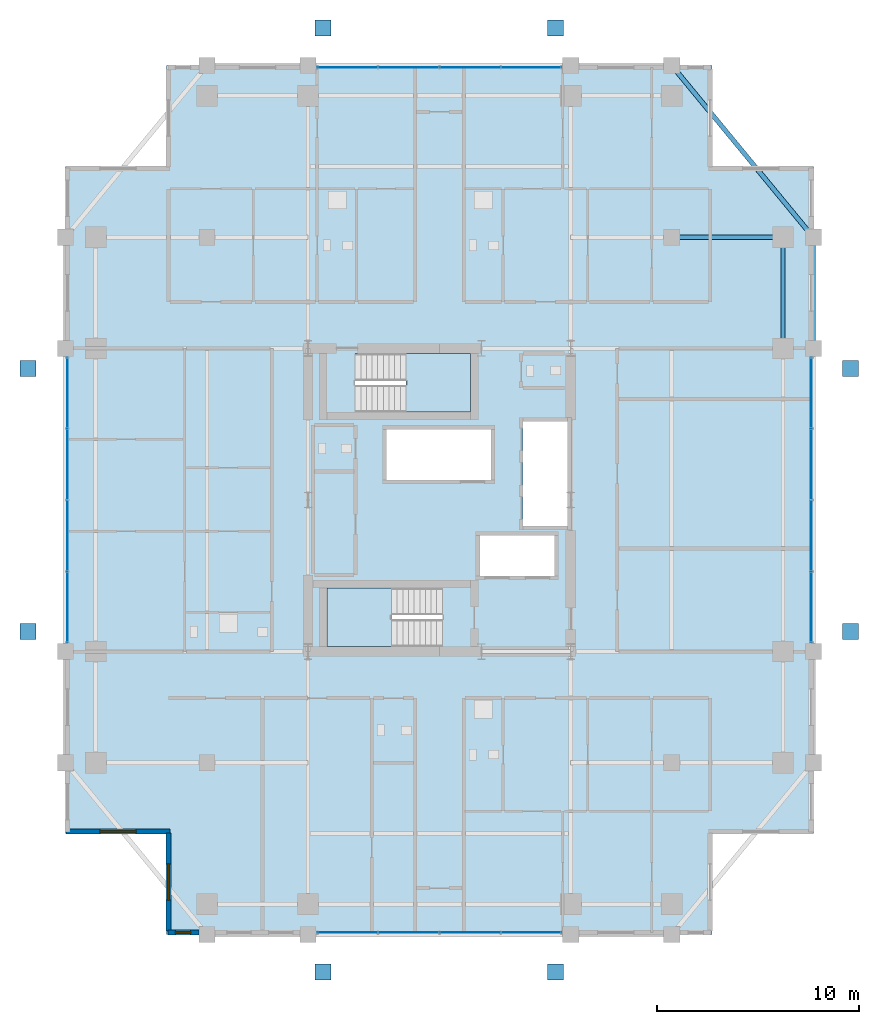
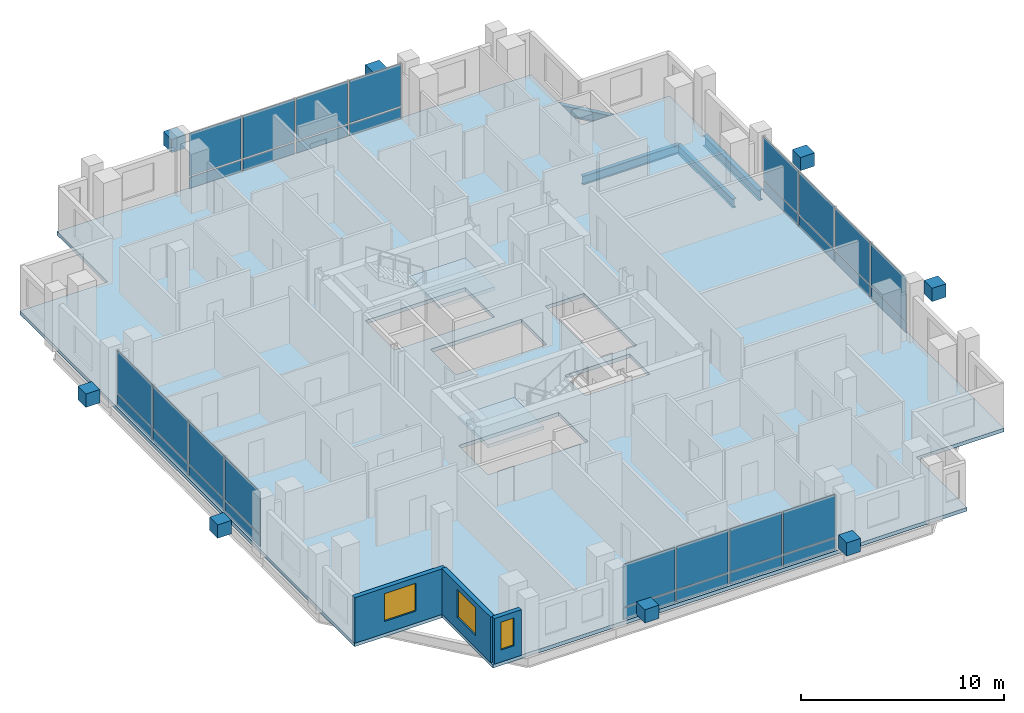
# One storey, part 17 of 24: 40 plates, 4 beams, 3 slabs, 3 walls, 3 windows, 3 openings, 6 elements without a shape of their own.
"""IFC4 building model written with IfcOpenShell, lengths in metres."""

from ifc_helpers import new_model, si_unit, direction, frame, frame_2d, origin, origin_2d, place, context, subcontext, project, spatial, polyline, rectangle, i_section, outline, extrude, material, layer, layer_set, material_profile, profile_set, type_object, element, fill, aggregate, save


model = new_model("IFC4")

# Units and contexts
model_context = context("Model", 3, precision=1e-05, world=origin(), true_north=direction((0.0, 1.0)))
body_context = subcontext(model_context, "Body", "Model", "MODEL_VIEW")
ifc_project = project(units=[si_unit("LENGTHUNIT", "METRE"), si_unit("AREAUNIT", "SQUARE_METRE"), si_unit("VOLUMEUNIT", "CUBIC_METRE"), si_unit("PLANEANGLEUNIT", "RADIAN"), si_unit("MASSUNIT", "GRAM", prefix="KILO")], contexts=[model_context])

# Site, building, storey
site_placement = place(None, origin())
site = spatial("IfcSite", under=ifc_project, at=site_placement, CompositionType="ELEMENT")
building_placement = place(site_placement, origin())
building = spatial("IfcBuilding", under=site, at=building_placement, Name="Barlavira Tower and Art Museum", CompositionType="ELEMENT")
storey_placement = place(building_placement, frame((0.0, 0.0, 190.800048828125)))
storey = spatial("IfcBuildingStorey", under=building, at=storey_placement, Name="L49", CompositionType="ELEMENT", Elevation=190.800048828125)

# Beams
ifc_material_1 = material(Name="Steel S355", Category="steel")
ifc_material_profile_1 = material_profile(ifc_material_1, i_section(OverallWidth=0.22998046875, OverallDepth=0.616943359375, WebThickness=0.01318359375, FlangeThickness=0.022216796875, at=origin_2d()), Name="W610x140.0")
ifc_profile_set_1 = profile_set([ifc_material_profile_1], Name="Steel S355")
beam_type_1 = type_object("IfcBeamType", Name="Upper Shaft Spandrel Edge Beam W610x140 Steel S355", PredefinedType="SPANDREL", material=ifc_profile_set_1)
beam_1_placement = place(storey_placement, frame((18.5, 7.5, -0.528564453125), z_axis=(0.0, 1.0, 0.0), x_axis=(-1.0, 0.0, 0.0)))
element("IfcBeam", 1, at=beam_1_placement, inside=storey, type_object=beam_type_1, Name="L49 Spandrel 7", PredefinedType="SPANDREL", context=body_context, shape_type="SweptSolid", body=[
    extrude(i_section(OverallWidth=0.22998046875, OverallDepth=0.616943359375, WebThickness=0.01318359375, FlangeThickness=0.022216796875, at=origin_2d()), origin(), (0.0, 0.0, 1.0), 5.5),
])
beam_2_placement = place(storey_placement, frame((18.5, 13.0, -0.528564453125), z_axis=(-0.635707252861, 0.771930235617, 0.0), x_axis=(-0.771930235617, -0.635707252861, 0.0)))
element("IfcBeam", 2, at=beam_2_placement, inside=storey, type_object=beam_type_1, Name="L49 Spandrel 8", PredefinedType="SPANDREL", context=body_context, shape_type="SweptSolid", body=[
    extrude(i_section(OverallWidth=0.22998046875, OverallDepth=0.616943359375, WebThickness=0.01318359375, FlangeThickness=0.022216796875, at=origin_2d()), origin(), (0.0, 0.0, 1.0), 11.011474609375),
])
ifc_material_profile_2 = material_profile(ifc_material_1, i_section(OverallWidth=0.2109375, OverallDepth=0.5390625, WebThickness=0.01171875, FlangeThickness=0.018798828125, at=origin_2d()), Name="W530x109.0")
ifc_profile_set_2 = profile_set([ifc_material_profile_2], Name="Steel S355")
beam_type_2 = type_object("IfcBeamType", Name="Zone 3-4 Primary Floor Girder W530x109 Steel S355", PredefinedType="BEAM", material=ifc_profile_set_2)
for number, where, z_axis, x_axis, name in (
    (3, (17.0, 7.5, -0.489501953125), (0.0, 1.0, 0.0), (-1.0, 0.0, 0.0), "L49 Girder M-E3"),
    (4, (11.5, 13.0, -0.489501953125), (1.0, 0.0, 0.0), (0.0, 1.0, 0.0), "L49 Girder I-N4"),
):
    element("IfcBeam", number, at=place(storey_placement, frame(where, z_axis=z_axis, x_axis=x_axis)), inside=storey, type_object=beam_type_2, Name=name, PredefinedType="BEAM", context=body_context, shape_type="SweptSolid", body=[
        extrude(i_section(OverallWidth=0.2109375, OverallDepth=0.5390625, WebThickness=0.01171875, FlangeThickness=0.018798828125, at=origin_2d()), origin(), (0.0, 0.0, 1.0), 5.5),
    ])

# Curtain wall, plates
ifc_material_2 = material(Name="Low-iron coastal laminated glass", Category="glass")
ifc_layer_1 = layer(ifc_material_2, 0.199951171875, Name="Low-iron coastal laminated glass")
ifc_layer_set_1 = layer_set([ifc_layer_1], Name="Low-iron coastal laminated glass")
curtain_wall_type = type_object("IfcCurtainWallType", Name="Pale-Metal Unitised Curtain Wall Zone 3", PredefinedType="NOTDEFINED", material=ifc_layer_set_1)
curtain_wall_1_placement = place(storey_placement, origin())
curtain_wall_1 = element("IfcCurtainWall", 5, at=curtain_wall_1_placement, inside=storey, type_object=curtain_wall_type, Name="L49 Curtain Wall CW3-L49-S-B3", PredefinedType="NOTDEFINED")
ifc_material_3 = material(Name="Pale anodised aluminium", Category="aluminium")
ifc_layer_2 = layer(ifc_material_3, 0.044921875, Name="Pale anodised aluminium")
ifc_layer_set_2 = layer_set([ifc_layer_2], Name="Pale anodised aluminium")
plate_type_1 = type_object("IfcPlateType", Name="Curtain Wall Pale-Metal Spandrel Panel 45", PredefinedType="CURTAIN_PANEL", material=ifc_layer_set_2)
plate_1_placement = place(storey_placement, frame((-4.56005859375, -21.39990234375, 0.0400390625), z_axis=(0.0, 0.0, 1.0), x_axis=(1.0, 0.0, 0.0)))
plate_1 = element("IfcPlate", 6, at=plate_1_placement, type_object=plate_type_1, Name="CW3-L49-S-B3 Spandrel Panel 0", PredefinedType="CURTAIN_PANEL", context=body_context, shape_type="SweptSolid", body=[
    extrude(rectangle(XDim=2.93994140625, YDim=0.044921875, at=origin_2d()), origin(), (0.0, 0.0, 1.0), 0.6640625),
])
plate_2_placement = place(storey_placement, frame((-1.52001953125, -21.39990234375, 0.0400390625), z_axis=(0.0, 0.0, 1.0), x_axis=(1.0, 0.0, 0.0)))
plate_2 = element("IfcPlate", 7, at=plate_2_placement, type_object=plate_type_1, Name="CW3-L49-S-B3 Spandrel Panel 1", PredefinedType="CURTAIN_PANEL", context=body_context, shape_type="SweptSolid", body=[
    extrude(rectangle(XDim=2.93994140625, YDim=0.044921875, at=origin_2d()), origin(), (0.0, 0.0, 1.0), 0.6640625),
])
plate_3_placement = place(storey_placement, frame((1.52001953125, -21.39990234375, 0.0400390625), z_axis=(0.0, 0.0, 1.0), x_axis=(1.0, 0.0, 0.0)))
plate_3 = element("IfcPlate", 8, at=plate_3_placement, type_object=plate_type_1, Name="CW3-L49-S-B3 Spandrel Panel 2", PredefinedType="CURTAIN_PANEL", context=body_context, shape_type="SweptSolid", body=[
    extrude(rectangle(XDim=2.93994140625, YDim=0.044921875, at=origin_2d()), origin(), (0.0, 0.0, 1.0), 0.6640625),
])
plate_4_placement = place(storey_placement, frame((4.56005859375, -21.39990234375, 0.0400390625), z_axis=(0.0, 0.0, 1.0), x_axis=(1.0, 0.0, 0.0)))
plate_4 = element("IfcPlate", 9, at=plate_4_placement, type_object=plate_type_1, Name="CW3-L49-S-B3 Spandrel Panel 3", PredefinedType="CURTAIN_PANEL", context=body_context, shape_type="SweptSolid", body=[
    extrude(rectangle(XDim=2.93994140625, YDim=0.044921875, at=origin_2d()), origin(), (0.0, 0.0, 1.0), 0.6640625),
])

curtain_wall_2_placement = place(storey_placement, origin())
curtain_wall_2 = element("IfcCurtainWall", 10, at=curtain_wall_2_placement, inside=storey, type_object=curtain_wall_type, Name="L49 Curtain Wall CW3-L49-N-B3", PredefinedType="NOTDEFINED")
plate_5_placement = place(storey_placement, frame((4.56005859375, 21.39990234375, 0.0400390625), z_axis=(0.0, 0.0, 1.0), x_axis=(-1.0, 0.0, 0.0)))
plate_5 = element("IfcPlate", 11, at=plate_5_placement, type_object=plate_type_1, Name="CW3-L49-N-B3 Spandrel Panel 0", PredefinedType="CURTAIN_PANEL", context=body_context, shape_type="SweptSolid", body=[
    extrude(rectangle(XDim=2.93994140625, YDim=0.044921875, at=origin_2d()), origin(), (0.0, 0.0, 1.0), 0.6640625),
])
plate_6_placement = place(storey_placement, frame((1.52001953125, 21.39990234375, 0.0400390625), z_axis=(0.0, 0.0, 1.0), x_axis=(-1.0, 0.0, 0.0)))
plate_6 = element("IfcPlate", 12, at=plate_6_placement, type_object=plate_type_1, Name="CW3-L49-N-B3 Spandrel Panel 1", PredefinedType="CURTAIN_PANEL", context=body_context, shape_type="SweptSolid", body=[
    extrude(rectangle(XDim=2.93994140625, YDim=0.044921875, at=origin_2d()), origin(), (0.0, 0.0, 1.0), 0.6640625),
])
plate_7_placement = place(storey_placement, frame((-1.52001953125, 21.39990234375, 0.0400390625), z_axis=(0.0, 0.0, 1.0), x_axis=(-1.0, 0.0, 0.0)))
plate_7 = element("IfcPlate", 13, at=plate_7_placement, type_object=plate_type_1, Name="CW3-L49-N-B3 Spandrel Panel 2", PredefinedType="CURTAIN_PANEL", context=body_context, shape_type="SweptSolid", body=[
    extrude(rectangle(XDim=2.93994140625, YDim=0.044921875, at=origin_2d()), origin(), (0.0, 0.0, 1.0), 0.6640625),
])
plate_8_placement = place(storey_placement, frame((-4.56005859375, 21.39990234375, 0.0400390625), z_axis=(0.0, 0.0, 1.0), x_axis=(-1.0, 0.0, 0.0)))
plate_8 = element("IfcPlate", 14, at=plate_8_placement, type_object=plate_type_1, Name="CW3-L49-N-B3 Spandrel Panel 3", PredefinedType="CURTAIN_PANEL", context=body_context, shape_type="SweptSolid", body=[
    extrude(rectangle(XDim=2.93994140625, YDim=0.044921875, at=origin_2d()), origin(), (0.0, 0.0, 1.0), 0.6640625),
])

curtain_wall_3_placement = place(storey_placement, origin())
curtain_wall_3 = element("IfcCurtainWall", 15, at=curtain_wall_3_placement, inside=storey, type_object=curtain_wall_type, Name="L49 Curtain Wall CW3-L49-W-B3", PredefinedType="NOTDEFINED")
plate_9_placement = place(storey_placement, frame((-18.39990234375, 5.31005859375, 0.0400390625), z_axis=(0.0, 0.0, 1.0), x_axis=(0.0, -1.0, 0.0)))
plate_9 = element("IfcPlate", 16, at=plate_9_placement, type_object=plate_type_1, Name="CW3-L49-W-B3 Spandrel Panel 0", PredefinedType="CURTAIN_PANEL", context=body_context, shape_type="SweptSolid", body=[
    extrude(rectangle(XDim=3.43994140625, YDim=0.044921875, at=origin_2d()), origin(), (0.0, 0.0, 1.0), 0.6640625),
])
plate_10_placement = place(storey_placement, frame((-18.39990234375, 1.77001953125, 0.0400390625), z_axis=(0.0, 0.0, 1.0), x_axis=(0.0, -1.0, 0.0)))
plate_10 = element("IfcPlate", 17, at=plate_10_placement, type_object=plate_type_1, Name="CW3-L49-W-B3 Spandrel Panel 1", PredefinedType="CURTAIN_PANEL", context=body_context, shape_type="SweptSolid", body=[
    extrude(rectangle(XDim=3.43994140625, YDim=0.044921875, at=origin_2d()), origin(), (0.0, 0.0, 1.0), 0.6640625),
])
plate_11_placement = place(storey_placement, frame((-18.39990234375, -1.77001953125, 0.0400390625), z_axis=(0.0, 0.0, 1.0), x_axis=(0.0, -1.0, 0.0)))
plate_11 = element("IfcPlate", 18, at=plate_11_placement, type_object=plate_type_1, Name="CW3-L49-W-B3 Spandrel Panel 2", PredefinedType="CURTAIN_PANEL", context=body_context, shape_type="SweptSolid", body=[
    extrude(rectangle(XDim=3.43994140625, YDim=0.044921875, at=origin_2d()), origin(), (0.0, 0.0, 1.0), 0.6640625),
])
plate_12_placement = place(storey_placement, frame((-18.39990234375, -5.31005859375, 0.0400390625), z_axis=(0.0, 0.0, 1.0), x_axis=(0.0, -1.0, 0.0)))
plate_12 = element("IfcPlate", 19, at=plate_12_placement, type_object=plate_type_1, Name="CW3-L49-W-B3 Spandrel Panel 3", PredefinedType="CURTAIN_PANEL", context=body_context, shape_type="SweptSolid", body=[
    extrude(rectangle(XDim=3.43994140625, YDim=0.044921875, at=origin_2d()), origin(), (0.0, 0.0, 1.0), 0.6640625),
])

curtain_wall_4_placement = place(storey_placement, origin())
curtain_wall_4 = element("IfcCurtainWall", 20, at=curtain_wall_4_placement, inside=storey, type_object=curtain_wall_type, Name="L49 Curtain Wall CW3-L49-E-B3", PredefinedType="NOTDEFINED")
plate_13_placement = place(storey_placement, frame((18.39990234375, -5.31005859375, 0.0400390625), z_axis=(0.0, 0.0, 1.0), x_axis=(0.0, 1.0, 0.0)))
plate_13 = element("IfcPlate", 21, at=plate_13_placement, type_object=plate_type_1, Name="CW3-L49-E-B3 Spandrel Panel 0", PredefinedType="CURTAIN_PANEL", context=body_context, shape_type="SweptSolid", body=[
    extrude(rectangle(XDim=3.43994140625, YDim=0.044921875, at=origin_2d()), origin(), (0.0, 0.0, 1.0), 0.6640625),
])
plate_14_placement = place(storey_placement, frame((18.39990234375, -1.77001953125, 0.0400390625), z_axis=(0.0, 0.0, 1.0), x_axis=(0.0, 1.0, 0.0)))
plate_14 = element("IfcPlate", 22, at=plate_14_placement, type_object=plate_type_1, Name="CW3-L49-E-B3 Spandrel Panel 1", PredefinedType="CURTAIN_PANEL", context=body_context, shape_type="SweptSolid", body=[
    extrude(rectangle(XDim=3.43994140625, YDim=0.044921875, at=origin_2d()), origin(), (0.0, 0.0, 1.0), 0.6640625),
])
plate_15_placement = place(storey_placement, frame((18.39990234375, 1.77001953125, 0.0400390625), z_axis=(0.0, 0.0, 1.0), x_axis=(0.0, 1.0, 0.0)))
plate_15 = element("IfcPlate", 23, at=plate_15_placement, type_object=plate_type_1, Name="CW3-L49-E-B3 Spandrel Panel 2", PredefinedType="CURTAIN_PANEL", context=body_context, shape_type="SweptSolid", body=[
    extrude(rectangle(XDim=3.43994140625, YDim=0.044921875, at=origin_2d()), origin(), (0.0, 0.0, 1.0), 0.6640625),
])
plate_16_placement = place(storey_placement, frame((18.39990234375, 5.31005859375, 0.0400390625), z_axis=(0.0, 0.0, 1.0), x_axis=(0.0, 1.0, 0.0)))
plate_16 = element("IfcPlate", 24, at=plate_16_placement, type_object=plate_type_1, Name="CW3-L49-E-B3 Spandrel Panel 3", PredefinedType="CURTAIN_PANEL", context=body_context, shape_type="SweptSolid", body=[
    extrude(rectangle(XDim=3.43994140625, YDim=0.044921875, at=origin_2d()), origin(), (0.0, 0.0, 1.0), 0.6640625),
])

# Plate
ifc_layer_3 = layer(ifc_material_2, 0.028076171875, Name="Low-iron coastal laminated glass")
ifc_layer_set_3 = layer_set([ifc_layer_3], Name="Low-iron coastal laminated glass")
plate_type_2 = type_object("IfcPlateType", Name="Curtain Wall Vision Glazing Panel 28", PredefinedType="CURTAIN_PANEL", material=ifc_layer_set_3)
plate_17_placement = place(storey_placement, frame((-4.56005859375, -21.39990234375, 0.7841796875), z_axis=(0.0, 0.0, 1.0), x_axis=(1.0, 0.0, 0.0)))
plate_17 = element("IfcPlate", 25, at=plate_17_placement, type_object=plate_type_2, Name="CW3-L49-S-B3 Vision Glass Panel 0", PredefinedType="CURTAIN_PANEL", context=body_context, shape_type="SweptSolid", body=[
    extrude(rectangle(XDim=2.93994140625, YDim=0.028076171875, at=origin_2d()), origin(), (0.0, 0.0, 1.0), 2.555908203125),
])

plate_18_placement = place(storey_placement, frame((-1.52001953125, -21.39990234375, 0.7841796875), z_axis=(0.0, 0.0, 1.0), x_axis=(1.0, 0.0, 0.0)))
plate_18 = element("IfcPlate", 26, at=plate_18_placement, type_object=plate_type_2, Name="CW3-L49-S-B3 Vision Glass Panel 1", PredefinedType="CURTAIN_PANEL", context=body_context, shape_type="SweptSolid", body=[
    extrude(rectangle(XDim=2.93994140625, YDim=0.028076171875, at=origin_2d()), origin(), (0.0, 0.0, 1.0), 2.555908203125),
])

plate_19_placement = place(storey_placement, frame((1.52001953125, -21.39990234375, 0.7841796875), z_axis=(0.0, 0.0, 1.0), x_axis=(1.0, 0.0, 0.0)))
plate_19 = element("IfcPlate", 27, at=plate_19_placement, type_object=plate_type_2, Name="CW3-L49-S-B3 Vision Glass Panel 2", PredefinedType="CURTAIN_PANEL", context=body_context, shape_type="SweptSolid", body=[
    extrude(rectangle(XDim=2.93994140625, YDim=0.028076171875, at=origin_2d()), origin(), (0.0, 0.0, 1.0), 2.555908203125),
])

plate_20_placement = place(storey_placement, frame((4.56005859375, -21.39990234375, 0.7841796875), z_axis=(0.0, 0.0, 1.0), x_axis=(1.0, 0.0, 0.0)))
plate_20 = element("IfcPlate", 28, at=plate_20_placement, type_object=plate_type_2, Name="CW3-L49-S-B3 Vision Glass Panel 3", PredefinedType="CURTAIN_PANEL", context=body_context, shape_type="SweptSolid", body=[
    extrude(rectangle(XDim=2.93994140625, YDim=0.028076171875, at=origin_2d()), origin(), (0.0, 0.0, 1.0), 2.555908203125),
])

aggregate(curtain_wall_1, [plate_1, plate_17, plate_2, plate_18, plate_3, plate_19, plate_4, plate_20])

plate_21_placement = place(storey_placement, frame((4.56005859375, 21.39990234375, 0.7841796875), z_axis=(0.0, 0.0, 1.0), x_axis=(-1.0, 0.0, 0.0)))
plate_21 = element("IfcPlate", 29, at=plate_21_placement, type_object=plate_type_2, Name="CW3-L49-N-B3 Vision Glass Panel 0", PredefinedType="CURTAIN_PANEL", context=body_context, shape_type="SweptSolid", body=[
    extrude(rectangle(XDim=2.93994140625, YDim=0.028076171875, at=origin_2d()), origin(), (0.0, 0.0, 1.0), 2.555908203125),
])

plate_22_placement = place(storey_placement, frame((1.52001953125, 21.39990234375, 0.7841796875), z_axis=(0.0, 0.0, 1.0), x_axis=(-1.0, 0.0, 0.0)))
plate_22 = element("IfcPlate", 30, at=plate_22_placement, type_object=plate_type_2, Name="CW3-L49-N-B3 Vision Glass Panel 1", PredefinedType="CURTAIN_PANEL", context=body_context, shape_type="SweptSolid", body=[
    extrude(rectangle(XDim=2.93994140625, YDim=0.028076171875, at=origin_2d()), origin(), (0.0, 0.0, 1.0), 2.555908203125),
])

plate_23_placement = place(storey_placement, frame((-1.52001953125, 21.39990234375, 0.7841796875), z_axis=(0.0, 0.0, 1.0), x_axis=(-1.0, 0.0, 0.0)))
plate_23 = element("IfcPlate", 31, at=plate_23_placement, type_object=plate_type_2, Name="CW3-L49-N-B3 Vision Glass Panel 2", PredefinedType="CURTAIN_PANEL", context=body_context, shape_type="SweptSolid", body=[
    extrude(rectangle(XDim=2.93994140625, YDim=0.028076171875, at=origin_2d()), origin(), (0.0, 0.0, 1.0), 2.555908203125),
])

plate_24_placement = place(storey_placement, frame((-4.56005859375, 21.39990234375, 0.7841796875), z_axis=(0.0, 0.0, 1.0), x_axis=(-1.0, 0.0, 0.0)))
plate_24 = element("IfcPlate", 32, at=plate_24_placement, type_object=plate_type_2, Name="CW3-L49-N-B3 Vision Glass Panel 3", PredefinedType="CURTAIN_PANEL", context=body_context, shape_type="SweptSolid", body=[
    extrude(rectangle(XDim=2.93994140625, YDim=0.028076171875, at=origin_2d()), origin(), (0.0, 0.0, 1.0), 2.555908203125),
])

aggregate(curtain_wall_2, [plate_5, plate_21, plate_6, plate_22, plate_7, plate_23, plate_8, plate_24])

plate_25_placement = place(storey_placement, frame((-18.39990234375, 5.31005859375, 0.7841796875), z_axis=(0.0, 0.0, 1.0), x_axis=(0.0, -1.0, 0.0)))
plate_25 = element("IfcPlate", 33, at=plate_25_placement, type_object=plate_type_2, Name="CW3-L49-W-B3 Vision Glass Panel 0", PredefinedType="CURTAIN_PANEL", context=body_context, shape_type="SweptSolid", body=[
    extrude(rectangle(XDim=3.43994140625, YDim=0.028076171875, at=origin_2d()), origin(), (0.0, 0.0, 1.0), 2.555908203125),
])

plate_26_placement = place(storey_placement, frame((-18.39990234375, 1.77001953125, 0.7841796875), z_axis=(0.0, 0.0, 1.0), x_axis=(0.0, -1.0, 0.0)))
plate_26 = element("IfcPlate", 34, at=plate_26_placement, type_object=plate_type_2, Name="CW3-L49-W-B3 Vision Glass Panel 1", PredefinedType="CURTAIN_PANEL", context=body_context, shape_type="SweptSolid", body=[
    extrude(rectangle(XDim=3.43994140625, YDim=0.028076171875, at=origin_2d()), origin(), (0.0, 0.0, 1.0), 2.555908203125),
])

plate_27_placement = place(storey_placement, frame((-18.39990234375, -1.77001953125, 0.7841796875), z_axis=(0.0, 0.0, 1.0), x_axis=(0.0, -1.0, 0.0)))
plate_27 = element("IfcPlate", 35, at=plate_27_placement, type_object=plate_type_2, Name="CW3-L49-W-B3 Vision Glass Panel 2", PredefinedType="CURTAIN_PANEL", context=body_context, shape_type="SweptSolid", body=[
    extrude(rectangle(XDim=3.43994140625, YDim=0.028076171875, at=origin_2d()), origin(), (0.0, 0.0, 1.0), 2.555908203125),
])

plate_28_placement = place(storey_placement, frame((-18.39990234375, -5.31005859375, 0.7841796875), z_axis=(0.0, 0.0, 1.0), x_axis=(0.0, -1.0, 0.0)))
plate_28 = element("IfcPlate", 36, at=plate_28_placement, type_object=plate_type_2, Name="CW3-L49-W-B3 Vision Glass Panel 3", PredefinedType="CURTAIN_PANEL", context=body_context, shape_type="SweptSolid", body=[
    extrude(rectangle(XDim=3.43994140625, YDim=0.028076171875, at=origin_2d()), origin(), (0.0, 0.0, 1.0), 2.555908203125),
])

aggregate(curtain_wall_3, [plate_9, plate_25, plate_10, plate_26, plate_11, plate_27, plate_12, plate_28])

plate_29_placement = place(storey_placement, frame((18.39990234375, -5.31005859375, 0.7841796875), z_axis=(0.0, 0.0, 1.0), x_axis=(0.0, 1.0, 0.0)))
plate_29 = element("IfcPlate", 37, at=plate_29_placement, type_object=plate_type_2, Name="CW3-L49-E-B3 Vision Glass Panel 0", PredefinedType="CURTAIN_PANEL", context=body_context, shape_type="SweptSolid", body=[
    extrude(rectangle(XDim=3.43994140625, YDim=0.028076171875, at=origin_2d()), origin(), (0.0, 0.0, 1.0), 2.555908203125),
])

plate_30_placement = place(storey_placement, frame((18.39990234375, -1.77001953125, 0.7841796875), z_axis=(0.0, 0.0, 1.0), x_axis=(0.0, 1.0, 0.0)))
plate_30 = element("IfcPlate", 38, at=plate_30_placement, type_object=plate_type_2, Name="CW3-L49-E-B3 Vision Glass Panel 1", PredefinedType="CURTAIN_PANEL", context=body_context, shape_type="SweptSolid", body=[
    extrude(rectangle(XDim=3.43994140625, YDim=0.028076171875, at=origin_2d()), origin(), (0.0, 0.0, 1.0), 2.555908203125),
])

plate_31_placement = place(storey_placement, frame((18.39990234375, 1.77001953125, 0.7841796875), z_axis=(0.0, 0.0, 1.0), x_axis=(0.0, 1.0, 0.0)))
plate_31 = element("IfcPlate", 39, at=plate_31_placement, type_object=plate_type_2, Name="CW3-L49-E-B3 Vision Glass Panel 2", PredefinedType="CURTAIN_PANEL", context=body_context, shape_type="SweptSolid", body=[
    extrude(rectangle(XDim=3.43994140625, YDim=0.028076171875, at=origin_2d()), origin(), (0.0, 0.0, 1.0), 2.555908203125),
])

plate_32_placement = place(storey_placement, frame((18.39990234375, 5.31005859375, 0.7841796875), z_axis=(0.0, 0.0, 1.0), x_axis=(0.0, 1.0, 0.0)))
plate_32 = element("IfcPlate", 40, at=plate_32_placement, type_object=plate_type_2, Name="CW3-L49-E-B3 Vision Glass Panel 3", PredefinedType="CURTAIN_PANEL", context=body_context, shape_type="SweptSolid", body=[
    extrude(rectangle(XDim=3.43994140625, YDim=0.028076171875, at=origin_2d()), origin(), (0.0, 0.0, 1.0), 2.555908203125),
])

aggregate(curtain_wall_4, [plate_13, plate_29, plate_14, plate_30, plate_15, plate_31, plate_16, plate_32])

# Plates
ifc_layer_4 = layer(ifc_material_1, 0.800048828125, Name="Steel S355")
ifc_layer_set_4 = layer_set([ifc_layer_4], Name="Steel S355")
plate_type_3 = type_object("IfcPlateType", Name="Exoskeleton Solid Steel Node Cap Plate Assembly Type 3 Steel S355", PredefinedType="USERDEFINED", material=ifc_layer_set_4)
for number, where, z_axis, x_axis, name in (
    (41, (-5.75, -23.35009765625, 1.27978515625), (0.0, 0.0, 1.0), (1.0, 0.0, 0.0), "Exoskeleton Diamond Node S1 ND-L49-0520"),
    (42, (5.75, -23.35009765625, 1.27978515625), (0.0, 0.0, 1.0), (1.0, 0.0, 0.0), "Exoskeleton Diamond Node S2 ND-L49-0521"),
    (43, (-5.75, 23.35009765625, 1.27978515625), (0.0, 0.0, 1.0), (1.0, 0.0, 0.0), "Exoskeleton Diamond Node N1 ND-L49-0528"),
    (44, (5.75, 23.35009765625, 1.27978515625), (0.0, 0.0, 1.0), (1.0, 0.0, 0.0), "Exoskeleton Diamond Node N2 ND-L49-0529"),
    (45, (-20.35009765625, -6.5, 1.27978515625), (0.0, 0.0, 1.0), (1.0, 0.0, 0.0), "Exoskeleton Diamond Node W1 ND-L49-0536"),
    (46, (-20.35009765625, 6.5, 1.27978515625), (0.0, 0.0, 1.0), (1.0, 0.0, 0.0), "Exoskeleton Diamond Node W2 ND-L49-0537"),
    (47, (20.35009765625, -6.5, 1.27978515625), (0.0, 0.0, 1.0), (1.0, 0.0, 0.0), "Exoskeleton Diamond Node E1 ND-L49-0544"),
    (48, (20.35009765625, 6.5, 1.27978515625), (0.0, 0.0, 1.0), (1.0, 0.0, 0.0), "Exoskeleton Diamond Node E2 ND-L49-0545"),
):
    element("IfcPlate", number, at=place(storey_placement, frame(where, z_axis=z_axis, x_axis=x_axis)), inside=storey, type_object=plate_type_3, Name=name, ObjectType="FLANGE_PLATE", PredefinedType="USERDEFINED", context=body_context, shape_type="SweptSolid", body=[
        extrude(rectangle(XDim=0.800048828125, YDim=0.800048828125, at=origin_2d()), origin(), (0.0, 0.0, 1.0), 0.800048828125),
    ])

# Stair, slab
ifc_material_4 = material(Name="Concrete C45", Category="concrete")
stair_type_1 = type_object("IfcStairType", Name="Tower North Dog-Leg Exit Stair Assembly Concrete C45", PredefinedType="TWO_QUARTER_TURN_STAIR", material=ifc_material_4)
stair_1_placement = place(storey_placement, origin())
stair_1 = element("IfcStair", 49, at=stair_1_placement, inside=storey, type_object=stair_type_1, Name="L49 Tower North Exit Stair ST-T2", PredefinedType="TWO_QUARTER_TURN_STAIR")
ifc_layer_5 = layer(ifc_material_4, 0.199951171875, Name="Concrete C45")
ifc_layer_set_5 = layer_set([ifc_layer_5], Name="Concrete C45")
slab_type_1 = type_object("IfcSlabType", Name="Tower North Dog-Leg Exit Stair Half-Landing Slab 200 Concrete C45", PredefinedType="LANDING", material=ifc_layer_set_5)
slab_1_placement = place(storey_placement, frame((0.0, 0.0, 1.599853515625)))
slab_1 = element("IfcSlab", 50, at=slab_1_placement, type_object=slab_type_1, Name="ST-T2 landing 1", PredefinedType="LANDING", context=body_context, shape_type="SweptSolid", body=[
    extrude(outline(polyline([(-1.64990234375, 4.35009765625), (1.530029296875, 4.35009765625), (1.530029296875, 7.25), (-1.64990234375, 7.25), (-1.64990234375, 4.35009765625)])), origin(), (0.0, 0.0, 1.0), 0.2001953125),
])
aggregate(stair_1, [slab_1])

stair_type_2 = type_object("IfcStairType", Name="Tower South Dog-Leg Exit Stair Assembly Concrete C45", PredefinedType="TWO_QUARTER_TURN_STAIR", material=ifc_material_4)
stair_2_placement = place(storey_placement, origin())
stair_2 = element("IfcStair", 51, at=stair_2_placement, inside=storey, type_object=stair_type_2, Name="L49 Tower South Exit Stair ST-T1", PredefinedType="TWO_QUARTER_TURN_STAIR")
ifc_layer_6 = layer(ifc_material_4, 0.199951171875, Name="Concrete C45")
ifc_layer_set_6 = layer_set([ifc_layer_6], Name="Concrete C45")
slab_type_2 = type_object("IfcSlabType", Name="Tower South Dog-Leg Exit Stair Half-Landing Slab 200 Concrete C45", PredefinedType="LANDING", material=ifc_layer_set_6)
slab_2_placement = place(storey_placement, frame((0.0, 0.0, 1.599853515625)))
slab_2 = element("IfcSlab", 52, at=slab_2_placement, type_object=slab_type_2, Name="ST-T1 landing 1", PredefinedType="LANDING", context=body_context, shape_type="SweptSolid", body=[
    extrude(outline(polyline([(-2.3701171875, -4.35009765625), (-5.550048828125, -4.35009765625), (-5.550048828125, -7.25), (-2.3701171875, -7.25), (-2.3701171875, -4.35009765625)])), origin(), (0.0, 0.0, 1.0), 0.2001953125),
])
aggregate(stair_2, [slab_2])

# Slab
ifc_material_5 = material(Name="Concrete C50", Category="concrete")
ifc_layer_7 = layer(ifc_material_5, 0.199951171875, Name="Concrete C50")
ifc_layer_set_7 = layer_set([ifc_layer_7], Name="Concrete C50")
slab_type_3 = type_object("IfcSlabType", Name="Zone 3 Residential Composite Slab 200 Concrete C50", PredefinedType="FLOOR", material=ifc_layer_set_7)
slab_3_placement = place(storey_placement, frame((0.0, 0.0, -0.219970703125)))
element("IfcSlab", 53, at=slab_3_placement, inside=storey, type_object=slab_type_3, Name="L49 Tower Floor Slab", PredefinedType="FLOOR", context=body_context, shape_type="SweptSolid", body=[
    extrude(outline(polyline([(-13.5, -21.5), (13.5, -21.5), (13.5, -16.5), (18.5, -16.5), (18.5, 16.5), (13.5, 16.5), (13.5, 21.5), (-13.5, 21.5), (-13.5, 16.5), (-18.5, 16.5), (-18.5, -16.5), (-13.5, -16.5), (-13.5, -21.5)]), holes=[polyline([(0.14990234375, -4.35009765625), (-5.550048828125, -4.35009765625), (-5.550048828125, -7.25), (0.14990234375, -7.25), (0.14990234375, -4.35009765625)]), polyline([(-4.169921875, 4.35009765625), (1.530029296875, 4.35009765625), (1.530029296875, 7.25), (-4.169921875, 7.25), (-4.169921875, 4.35009765625)]), polyline([(4.14990234375, -1.2900390625), (6.35009765625, -1.2900390625), (6.35009765625, 3.889892578125), (4.14990234375, 3.889892578125), (4.14990234375, -1.2900390625)]), polyline([(-2.6201171875, 1.0), (2.56005859375, 1.0), (2.56005859375, 3.5), (-2.6201171875, 3.5), (-2.6201171875, 1.0)]), polyline([(2.0, -3.75), (5.699951171875, -3.75), (5.699951171875, -1.75), (2.0, -1.75), (2.0, -3.75)])]), origin(), (0.0, 0.0, 1.0), 0.219970703125),
])

# Wall, opening, window
ifc_material_6 = material(Name="Precast concrete C40", Category="concrete")
ifc_layer_8 = layer(ifc_material_6, 0.25, Name="Precast concrete C40")
ifc_layer_set_8 = layer_set([ifc_layer_8], Name="Precast concrete C40")
wall_type = type_object("IfcWallType", Name="Notched Corner Spandrel Wall 250 Precast Concrete C40", PredefinedType="SOLIDWALL", material=ifc_layer_set_8)
wall_1_placement = place(storey_placement, frame((-13.425048828125, -21.39990234375, 0.0), z_axis=(0.0, 0.0, 1.0), x_axis=(1.0, 0.0, 0.0)))
wall_1 = element("IfcWall", 54, at=wall_1_placement, inside=storey, type_object=wall_type, Name="L49 Coastal Facade Pier Wall CW3-L49-S-1", PredefinedType="SOLIDWALL", context=body_context, shape_type="SweptSolid", body=[
    extrude(rectangle(XDim=1.530029296875, YDim=0.25, at=frame_2d((0.76513671875, 0.0))), origin(), (0.0, 0.0, 1.0), 2.748046875),
])
opening_1_placement = place(wall_1_placement, frame((0.363037109375, 0.0, 0.719970703125)))
opening_1 = element("IfcOpeningElement", 55, at=opening_1_placement, cuts=wall_1, Name="Opening WN-06", PredefinedType="OPENING", context=body_context, shape_type="SweptSolid", body=[
    extrude(rectangle(XDim=0.760009765625, YDim=1.679931640625, at=frame_2d((0.3798828125, 0.83984375))), frame((0.0, 0.135009765625, 0.0), z_axis=(0.0, -1.0, 0.0), x_axis=(1.0, 0.0, 0.0)), (0.0, 0.0, 1.0), 0.27001953125),
])
window_type_1 = type_object("IfcWindowType", Name="Recessed Narrow Pier Window 760x1680", PartitioningType="SINGLE_PANEL", PredefinedType="WINDOW", material=ifc_material_2)
window_1_placement = place(opening_1_placement, origin())
window_1 = element("IfcWindow", 56, at=window_1_placement, inside=storey, type_object=window_type_1, Name="L49 Punched Facade Window EWP-CW3-L49-S-1-1", OverallHeight=1.679931640625, OverallWidth=0.760009765625, PartitioningType="SINGLE_PANEL", PredefinedType="WINDOW", context=body_context, shape_type="SweptSolid", body=[
    extrude(rectangle(XDim=0.760009765625, YDim=1.679931640625, at=frame_2d((0.3798828125, 0.83984375))), frame((0.0, 0.030029296875, 0.0), z_axis=(0.0, -1.0, 0.0), x_axis=(1.0, 0.0, 0.0)), (0.0, 0.0, 1.0), 0.06005859375),
])
fill(opening_1, window_1)

wall_2_placement = place(storey_placement, frame((-18.47998046875, -16.39990234375, 0.0), z_axis=(0.0, 0.0, 1.0), x_axis=(1.0, 0.0, 0.0)))
wall_2 = element("IfcWall", 57, at=wall_2_placement, inside=storey, type_object=wall_type, Name="L49 Notch Corner Wall SW1", PredefinedType="SOLIDWALL", context=body_context, shape_type="SweptSolid", body=[
    extrude(rectangle(XDim=5.159912109375, YDim=0.25, at=frame_2d((2.580078125, 0.0))), origin(), (0.0, 0.0, 1.0), 2.748046875),
])
opening_2_placement = place(wall_2_placement, frame((1.679931640625, 0.0, 0.719970703125)))
opening_2 = element("IfcOpeningElement", 58, at=opening_2_placement, cuts=wall_2, Name="Opening WN-01", PredefinedType="OPENING", context=body_context, shape_type="SweptSolid", body=[
    extrude(rectangle(XDim=1.800048828125, YDim=1.679931640625, at=frame_2d((0.89990234375, 0.83984375))), frame((0.0, 0.135009765625, 0.0), z_axis=(0.0, -1.0, 0.0), x_axis=(1.0, 0.0, 0.0)), (0.0, 0.0, 1.0), 0.27001953125),
])
window_type_2 = type_object("IfcWindowType", Name="Recessed Notch Corner Punch Window 1800x1680", PartitioningType="SINGLE_PANEL", PredefinedType="WINDOW", material=ifc_material_2)
window_2_placement = place(opening_2_placement, origin())
window_2 = element("IfcWindow", 59, at=window_2_placement, inside=storey, type_object=window_type_2, Name="L49 Punched Facade Window EW-NTC-L49-SW1-1", OverallHeight=1.679931640625, OverallWidth=1.800048828125, PartitioningType="SINGLE_PANEL", PredefinedType="WINDOW", context=body_context, shape_type="SweptSolid", body=[
    extrude(rectangle(XDim=1.800048828125, YDim=1.679931640625, at=frame_2d((0.89990234375, 0.83984375))), frame((0.0, 0.030029296875, 0.0), z_axis=(0.0, -1.0, 0.0), x_axis=(1.0, 0.0, 0.0)), (0.0, 0.0, 1.0), 0.06005859375),
])
fill(opening_2, window_2)

wall_3_placement = place(storey_placement, frame((-13.39990234375, -16.47998046875, 0.0), z_axis=(0.0, 0.0, 1.0), x_axis=(0.0, -1.0, 0.0)))
wall_3 = element("IfcWall", 60, at=wall_3_placement, inside=storey, type_object=wall_type, Name="L49 Notch Corner Wall SW2", PredefinedType="SOLIDWALL", context=body_context, shape_type="SweptSolid", body=[
    extrude(rectangle(XDim=4.840087890625, YDim=0.25, at=frame_2d((2.419921875, 0.0))), origin(), (0.0, 0.0, 1.0), 2.748046875),
])
opening_3_placement = place(wall_3_placement, frame((1.52001953125, 0.0, 0.719970703125)))
opening_3 = element("IfcOpeningElement", 61, at=opening_3_placement, cuts=wall_3, Name="Opening WN-01", PredefinedType="OPENING", context=body_context, shape_type="SweptSolid", body=[
    extrude(rectangle(XDim=1.800048828125, YDim=1.679931640625, at=frame_2d((0.89990234375, 0.83984375))), frame((0.0, 0.135009765625, 0.0), z_axis=(0.0, -1.0, 0.0), x_axis=(1.0, 0.0, 0.0)), (0.0, 0.0, 1.0), 0.27001953125),
])
window_3_placement = place(opening_3_placement, origin())
window_3 = element("IfcWindow", 62, at=window_3_placement, inside=storey, type_object=window_type_2, Name="L49 Punched Facade Window EW-NTC-L49-SW2-1", OverallHeight=1.679931640625, OverallWidth=1.800048828125, PartitioningType="SINGLE_PANEL", PredefinedType="WINDOW", context=body_context, shape_type="SweptSolid", body=[
    extrude(rectangle(XDim=1.800048828125, YDim=1.679931640625, at=frame_2d((0.89990234375, 0.83984375))), frame((0.0, 0.030029296875, 0.0), z_axis=(0.0, -1.0, 0.0), x_axis=(1.0, 0.0, 0.0)), (0.0, 0.0, 1.0), 0.06005859375),
])
fill(opening_3, window_3)

save(model, "model.ifc")
